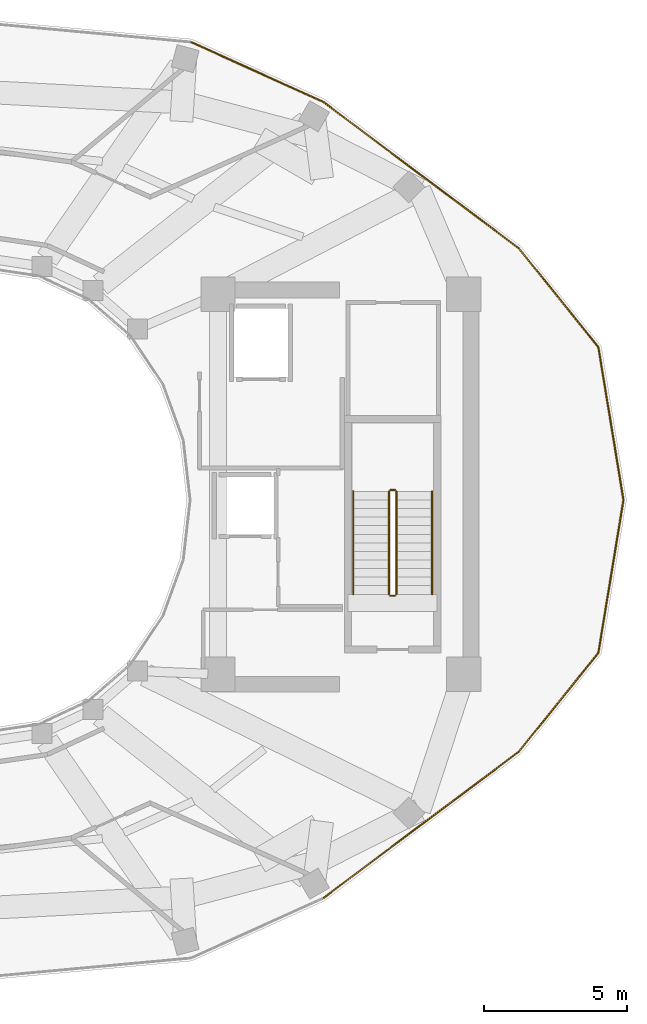
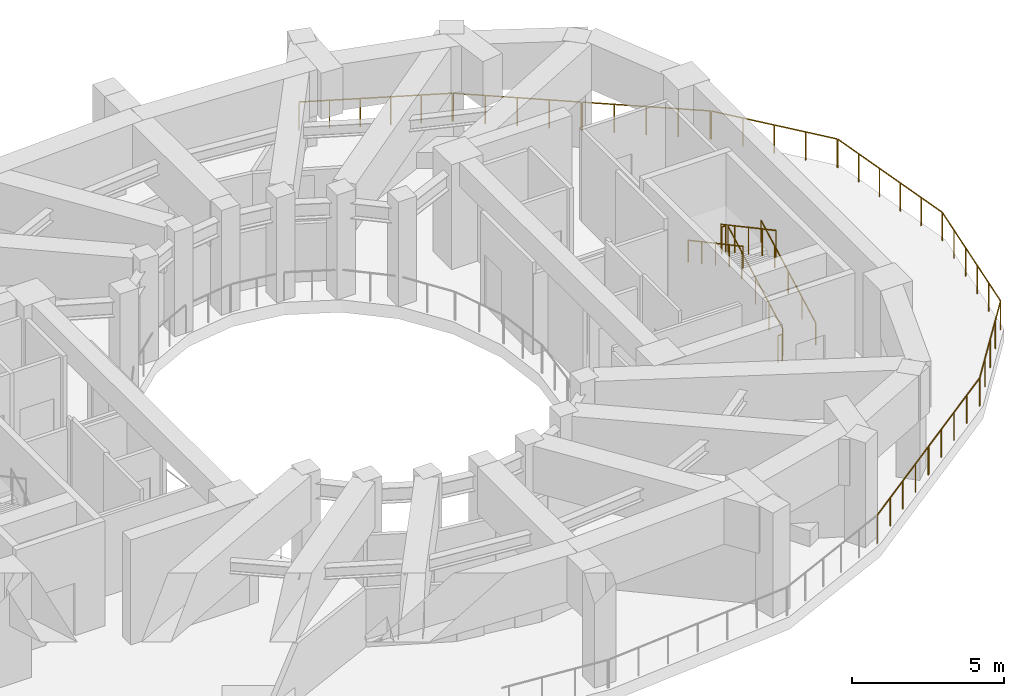
# One storey, part 8 of 9: 15 railings.
"""IFC4 building model written with IfcOpenShell, lengths in metres."""

from ifc_helpers import new_model, si_unit, direction, frame, origin, origin_2d, place, context, subcontext, project, spatial, circle, extrude, material, type_object, element, save


model = new_model("IFC4")

# Units and contexts
model_context = context("Model", 3, precision=1e-05, world=origin(), true_north=direction((0.0, 1.0)))
body_context = subcontext(model_context, "Body", "Model", "MODEL_VIEW")
ifc_project = project(units=[si_unit("LENGTHUNIT", "METRE"), si_unit("AREAUNIT", "SQUARE_METRE"), si_unit("VOLUMEUNIT", "CUBIC_METRE"), si_unit("PLANEANGLEUNIT", "RADIAN"), si_unit("MASSUNIT", "GRAM", prefix="KILO")], contexts=[model_context])

# Site, building, storey
site_placement = place(None, origin())
site = spatial("IfcSite", under=ifc_project, at=site_placement, CompositionType="ELEMENT")
building_placement = place(site_placement, origin())
building = spatial("IfcBuilding", under=site, at=building_placement, Name="Solvane Sanctuary Tower", CompositionType="ELEMENT")
storey_placement = place(building_placement, frame((0.0, 0.0, 197.39990234375)))
storey = spatial("IfcBuildingStorey", under=building, at=storey_placement, Name="L60", CompositionType="ELEMENT", Elevation=197.39990234375)

# Railings
ifc_material = material(Name="Architectural Stainless Steel 316", Category="steel")
railing_type_1 = type_object("IfcRailingType", Name="Railing GR-BALC-1150", PredefinedType="BALUSTRADE", material=ifc_material)
railing_1_placement = place(storey_placement, frame((54.284912109375, 23.019775390625, 0.0)))
element("IfcRailing", 1, at=railing_1_placement, inside=storey, type_object=railing_type_1, Name="L60 Open Void-Portal Perimeter Balustrade 00", PredefinedType="BALUSTRADE", context=body_context, shape_type="SweptSolid", body=[
    extrude(circle(Radius=0.02392578125, at=origin_2d()), frame((0.0, 0.0, 1.1259765625), z_axis=(-0.162058943267, 0.986781079524, 0.0), x_axis=(-0.986781079524, -0.162058943267, 0.0)), (0.0, 0.0, 1.0), 5.381103515625),
    extrude(circle(Radius=0.02099609375, at=origin_2d()), origin(), (0.0, 0.0, 1.0), 1.101806640625),
    extrude(circle(Radius=0.02099609375, at=origin_2d()), frame((-0.17431640625, 1.06201171875, 0.0)), (0.0, 0.0, 1.0), 1.101806640625),
    extrude(circle(Radius=0.02099609375, at=origin_2d()), frame((-0.348876953125, 2.1240234375, 0.0)), (0.0, 0.0, 1.0), 1.101806640625),
    extrude(circle(Radius=0.02099609375, at=origin_2d()), frame((-0.523193359375, 3.18603515625, 0.0)), (0.0, 0.0, 1.0), 1.101806640625),
    extrude(circle(Radius=0.02099609375, at=origin_2d()), frame((-0.69775390625, 4.248046875, 0.0)), (0.0, 0.0, 1.0), 1.101806640625),
    extrude(circle(Radius=0.02099609375, at=origin_2d()), frame((-0.8720703125, 5.31005859375, 0.0)), (0.0, 0.0, 1.0), 1.101806640625),
])
railing_2_placement = place(storey_placement, frame((53.397216796875, 28.365234375, 0.0)))
element("IfcRailing", 2, at=railing_2_placement, inside=storey, type_object=railing_type_1, Name="L60 Open Void-Portal Perimeter Balustrade 01", PredefinedType="BALUSTRADE", context=body_context, shape_type="SweptSolid", body=[
    extrude(circle(Radius=0.02392578125, at=origin_2d()), frame((0.0, 0.0, 1.1259765625), z_axis=(-0.627456229841, 0.778651834669, 0.0), x_axis=(-0.778651834669, -0.627456229841, 0.0)), (0.0, 0.0, 1.0), 4.414794921875),
    extrude(circle(Radius=0.02099609375, at=origin_2d()), origin(), (0.0, 0.0, 1.0), 1.101806640625),
    extrude(circle(Radius=0.02099609375, at=origin_2d()), frame((-0.6923828125, 0.859375, 0.0)), (0.0, 0.0, 1.0), 1.101806640625),
    extrude(circle(Radius=0.02099609375, at=origin_2d()), frame((-1.385009765625, 1.71875, 0.0)), (0.0, 0.0, 1.0), 1.101806640625),
    extrude(circle(Radius=0.02099609375, at=origin_2d()), frame((-2.07763671875, 2.578125, 0.0)), (0.0, 0.0, 1.0), 1.101806640625),
    extrude(circle(Radius=0.02099609375, at=origin_2d()), frame((-2.77001953125, 3.4375, 0.0)), (0.0, 0.0, 1.0), 1.101806640625),
])
railing_3_placement = place(storey_placement, frame((50.5986328125, 31.830322265625, 0.0)))
element("IfcRailing", 3, at=railing_3_placement, inside=storey, type_object=railing_type_1, Name="L60 Open Void-Portal Perimeter Balustrade 02", PredefinedType="BALUSTRADE", context=body_context, shape_type="SweptSolid", body=[
    extrude(circle(Radius=0.02392578125, at=origin_2d()), frame((0.0, 0.0, 1.1259765625), z_axis=(-0.800781696112, 0.598956321589, 0.0), x_axis=(-0.598956321589, -0.800781696112, 0.0)), (0.0, 0.0, 1.0), 4.2314453125),
    extrude(circle(Radius=0.02099609375, at=origin_2d()), origin(), (0.0, 0.0, 1.0), 1.101806640625),
    extrude(circle(Radius=0.02099609375, at=origin_2d()), frame((-0.84716796875, 0.633544921875, 0.0)), (0.0, 0.0, 1.0), 1.101806640625),
    extrude(circle(Radius=0.02099609375, at=origin_2d()), frame((-1.6943359375, 1.26708984375, 0.0)), (0.0, 0.0, 1.0), 1.101806640625),
    extrude(circle(Radius=0.02099609375, at=origin_2d()), frame((-2.541259765625, 1.90087890625, 0.0)), (0.0, 0.0, 1.0), 1.101806640625),
    extrude(circle(Radius=0.02099609375, at=origin_2d()), frame((-3.388427734375, 2.534423828125, 0.0)), (0.0, 0.0, 1.0), 1.101806640625),
])
railing_4_placement = place(storey_placement, frame((47.17822265625, 34.388671875, 0.0)))
element("IfcRailing", 4, at=railing_4_placement, inside=storey, type_object=railing_type_1, Name="L60 Open Void-Portal Perimeter Balustrade 03", PredefinedType="BALUSTRADE", context=body_context, shape_type="SweptSolid", body=[
    extrude(circle(Radius=0.02392578125, at=origin_2d()), frame((0.0, 0.0, 1.1259765625), z_axis=(-0.800193888641, 0.599741394754, 0.0), x_axis=(-0.599741394754, -0.800193888641, 0.0)), (0.0, 0.0, 1.0), 4.22998046875),
    extrude(circle(Radius=0.02099609375, at=origin_2d()), origin(), (0.0, 0.0, 1.0), 1.101806640625),
    extrude(circle(Radius=0.02099609375, at=origin_2d()), frame((-0.84619140625, 0.63427734375, 0.0)), (0.0, 0.0, 1.0), 1.101806640625),
    extrude(circle(Radius=0.02099609375, at=origin_2d()), frame((-1.6923828125, 1.2685546875, 0.0)), (0.0, 0.0, 1.0), 1.101806640625),
    extrude(circle(Radius=0.02099609375, at=origin_2d()), frame((-2.53857421875, 1.902587890625, 0.0)), (0.0, 0.0, 1.0), 1.101806640625),
    extrude(circle(Radius=0.02099609375, at=origin_2d()), frame((-3.384765625, 2.536865234375, 0.0)), (0.0, 0.0, 1.0), 1.101806640625),
])
railing_5_placement = place(storey_placement, frame((43.75927734375, 36.94580078125, 0.0)))
element("IfcRailing", 5, at=railing_5_placement, inside=storey, type_object=railing_type_1, Name="L60 Open Void-Portal Perimeter Balustrade 04", PredefinedType="BALUSTRADE", context=body_context, shape_type="SweptSolid", body=[
    extrude(circle(Radius=0.02392578125, at=origin_2d()), frame((0.0, 0.0, 1.1259765625), z_axis=(-0.911317289511, 0.411704745952, 0.0), x_axis=(-0.411704745952, -0.911317289511, 0.0)), (0.0, 0.0, 1.0), 5.04345703125),
    extrude(circle(Radius=0.02099609375, at=origin_2d()), origin(), (0.0, 0.0, 1.0), 1.101806640625),
    extrude(circle(Radius=0.02099609375, at=origin_2d()), frame((-0.919189453125, 0.415283203125, 0.0)), (0.0, 0.0, 1.0), 1.101806640625),
    extrude(circle(Radius=0.02099609375, at=origin_2d()), frame((-1.83837890625, 0.83056640625, 0.0)), (0.0, 0.0, 1.0), 1.101806640625),
    extrude(circle(Radius=0.02099609375, at=origin_2d()), frame((-2.7578125, 1.245849609375, 0.0)), (0.0, 0.0, 1.0), 1.101806640625),
    extrude(circle(Radius=0.02099609375, at=origin_2d()), frame((-3.677001953125, 1.6611328125, 0.0)), (0.0, 0.0, 1.0), 1.101806640625),
    extrude(circle(Radius=0.02099609375, at=origin_2d()), frame((-4.59619140625, 2.076416015625, 0.0)), (0.0, 0.0, 1.0), 1.101806640625),
])
railing_6_placement = place(storey_placement, frame((43.79345703125, 9.074462890625, 0.0)))
element("IfcRailing", 6, at=railing_6_placement, inside=storey, type_object=railing_type_1, Name="L60 Open Void-Portal Perimeter Balustrade 20", PredefinedType="BALUSTRADE", context=body_context, shape_type="SweptSolid", body=[
    extrude(circle(Radius=0.02392578125, at=origin_2d()), frame((0.0, 0.0, 1.1259765625), z_axis=(0.800193888641, 0.599741394754, 0.0), x_axis=(-0.599741394754, 0.800193888641, 0.0)), (0.0, 0.0, 1.0), 4.22998046875),
    extrude(circle(Radius=0.02099609375, at=origin_2d()), origin(), (0.0, 0.0, 1.0), 1.101806640625),
    extrude(circle(Radius=0.02099609375, at=origin_2d()), frame((0.84619140625, 0.63427734375, 0.0)), (0.0, 0.0, 1.0), 1.101806640625),
    extrude(circle(Radius=0.02099609375, at=origin_2d()), frame((1.6923828125, 1.2685546875, 0.0)), (0.0, 0.0, 1.0), 1.101806640625),
    extrude(circle(Radius=0.02099609375, at=origin_2d()), frame((2.53857421875, 1.902587890625, 0.0)), (0.0, 0.0, 1.0), 1.101806640625),
    extrude(circle(Radius=0.02099609375, at=origin_2d()), frame((3.384765625, 2.536865234375, 0.0)), (0.0, 0.0, 1.0), 1.101806640625),
])
railing_7_placement = place(storey_placement, frame((47.210205078125, 11.63525390625, 0.0)))
element("IfcRailing", 7, at=railing_7_placement, inside=storey, type_object=railing_type_1, Name="L60 Open Void-Portal Perimeter Balustrade 21", PredefinedType="BALUSTRADE", context=body_context, shape_type="SweptSolid", body=[
    extrude(circle(Radius=0.02392578125, at=origin_2d()), frame((0.0, 0.0, 1.1259765625), z_axis=(0.800781696112, 0.598956321589, 0.0), x_axis=(-0.598956321589, 0.800781696112, 0.0)), (0.0, 0.0, 1.0), 4.2314453125),
    extrude(circle(Radius=0.02099609375, at=origin_2d()), origin(), (0.0, 0.0, 1.0), 1.101806640625),
    extrude(circle(Radius=0.02099609375, at=origin_2d()), frame((0.84716796875, 0.633544921875, 0.0)), (0.0, 0.0, 1.0), 1.101806640625),
    extrude(circle(Radius=0.02099609375, at=origin_2d()), frame((1.6943359375, 1.26708984375, 0.0)), (0.0, 0.0, 1.0), 1.101806640625),
    extrude(circle(Radius=0.02099609375, at=origin_2d()), frame((2.541259765625, 1.90087890625, 0.0)), (0.0, 0.0, 1.0), 1.101806640625),
    extrude(circle(Radius=0.02099609375, at=origin_2d()), frame((3.388427734375, 2.534423828125, 0.0)), (0.0, 0.0, 1.0), 1.101806640625),
])
railing_8_placement = place(storey_placement, frame((50.627197265625, 14.197265625, 0.0)))
element("IfcRailing", 8, at=railing_8_placement, inside=storey, type_object=railing_type_1, Name="L60 Open Void-Portal Perimeter Balustrade 22", PredefinedType="BALUSTRADE", context=body_context, shape_type="SweptSolid", body=[
    extrude(circle(Radius=0.02392578125, at=origin_2d()), frame((0.0, 0.0, 1.1259765625), z_axis=(0.627456229841, 0.778651834669, 0.0), x_axis=(-0.778651834669, 0.627456229841, 0.0)), (0.0, 0.0, 1.0), 4.414794921875),
    extrude(circle(Radius=0.02099609375, at=origin_2d()), origin(), (0.0, 0.0, 1.0), 1.101806640625),
    extrude(circle(Radius=0.02099609375, at=origin_2d()), frame((0.6923828125, 0.859375, 0.0)), (0.0, 0.0, 1.0), 1.101806640625),
    extrude(circle(Radius=0.02099609375, at=origin_2d()), frame((1.385009765625, 1.71875, 0.0)), (0.0, 0.0, 1.0), 1.101806640625),
    extrude(circle(Radius=0.02099609375, at=origin_2d()), frame((2.07763671875, 2.578125, 0.0)), (0.0, 0.0, 1.0), 1.101806640625),
    extrude(circle(Radius=0.02099609375, at=origin_2d()), frame((2.77001953125, 3.4375, 0.0)), (0.0, 0.0, 1.0), 1.101806640625),
])
railing_9_placement = place(storey_placement, frame((53.412841796875, 17.670166015625, 0.0)))
element("IfcRailing", 9, at=railing_9_placement, inside=storey, type_object=railing_type_1, Name="L60 Open Void-Portal Perimeter Balustrade 23", PredefinedType="BALUSTRADE", context=body_context, shape_type="SweptSolid", body=[
    extrude(circle(Radius=0.02392578125, at=origin_2d()), frame((0.0, 0.0, 1.1259765625), z_axis=(0.162058943267, 0.986781079524, 0.0), x_axis=(-0.986781079524, 0.162058943267, 0.0)), (0.0, 0.0, 1.0), 5.381103515625),
    extrude(circle(Radius=0.02099609375, at=origin_2d()), origin(), (0.0, 0.0, 1.0), 1.101806640625),
    extrude(circle(Radius=0.02099609375, at=origin_2d()), frame((0.17431640625, 1.06201171875, 0.0)), (0.0, 0.0, 1.0), 1.101806640625),
    extrude(circle(Radius=0.02099609375, at=origin_2d()), frame((0.348876953125, 2.1240234375, 0.0)), (0.0, 0.0, 1.0), 1.101806640625),
    extrude(circle(Radius=0.02099609375, at=origin_2d()), frame((0.523193359375, 3.18603515625, 0.0)), (0.0, 0.0, 1.0), 1.101806640625),
    extrude(circle(Radius=0.02099609375, at=origin_2d()), frame((0.69775390625, 4.248046875, 0.0)), (0.0, 0.0, 1.0), 1.101806640625),
    extrude(circle(Radius=0.02099609375, at=origin_2d()), frame((0.8720703125, 5.31005859375, 0.0)), (0.0, 0.0, 1.0), 1.101806640625),
])
railing_10_placement = place(storey_placement, frame((46.340087890625, 19.699951171875, 0.16162109375)))
element("IfcRailing", 10, at=railing_10_placement, inside=storey, type_object=railing_type_1, Name="L60 ST-2 stair guard 1", PredefinedType="BALUSTRADE", context=body_context, shape_type="SweptSolid", body=[
    extrude(circle(Radius=0.02392578125, at=origin_2d()), frame((0.0, 0.0, 1.076171875), z_axis=(0.0, 0.880474934443, 0.474092701714), x_axis=(-1.0, 0.0, 0.0)), (0.0, 0.0, 1.0), 4.0888671875),
    extrude(circle(Radius=0.02099609375, at=origin_2d()), origin(), (0.0, 0.0, 1.0), 1.052001953125),
    extrude(circle(Radius=0.02099609375, at=origin_2d()), frame((0.0, 0.89990234375, 0.484619140625)), (0.0, 0.0, 1.0), 1.052001953125),
    extrude(circle(Radius=0.02099609375, at=origin_2d()), frame((0.0, 1.800048828125, 0.96923828125)), (0.0, 0.0, 1.0), 1.052001953125),
    extrude(circle(Radius=0.02099609375, at=origin_2d()), frame((0.0, 2.7001953125, 1.453857421875)), (0.0, 0.0, 1.0), 1.052001953125),
    extrude(circle(Radius=0.02099609375, at=origin_2d()), frame((0.0, 3.60009765625, 1.9384765625)), (0.0, 0.0, 1.0), 1.052001953125),
])
railing_11_placement = place(storey_placement, frame((46.2900390625, 23.35009765625, 2.10009765625)))
element("IfcRailing", 11, at=railing_11_placement, inside=storey, type_object=railing_type_1, Name="L60 ST-2 stair guard 2", PredefinedType="BALUSTRADE", context=body_context, shape_type="SweptSolid", body=[
    extrude(circle(Radius=0.02392578125, at=origin_2d()), frame((0.0, 0.0, 1.076171875), z_axis=(-1.0, 0.0, 0.0), x_axis=(0.0, -1.0, 0.0)), (0.0, 0.0, 1.0), 0.16015625),
    extrude(circle(Radius=0.02099609375, at=origin_2d()), origin(), (0.0, 0.0, 1.0), 1.052001953125),
    extrude(circle(Radius=0.02099609375, at=origin_2d()), frame((-0.16015625, 0.0, 0.0)), (0.0, 0.0, 1.0), 1.052001953125),
])
railing_12_placement = place(storey_placement, frame((46.080078125, 23.300048828125, 2.26171875)))
element("IfcRailing", 12, at=railing_12_placement, inside=storey, type_object=railing_type_1, Name="L60 ST-2 stair guard 3", PredefinedType="BALUSTRADE", context=body_context, shape_type="SweptSolid", body=[
    extrude(circle(Radius=0.02392578125, at=origin_2d()), frame((0.0, 0.0, 1.076171875), z_axis=(0.0, -0.880474934443, 0.474092701714), x_axis=(1.0, 0.0, 0.0)), (0.0, 0.0, 1.0), 4.0888671875),
    extrude(circle(Radius=0.02099609375, at=origin_2d()), origin(), (0.0, 0.0, 1.0), 1.052001953125),
    extrude(circle(Radius=0.02099609375, at=origin_2d()), frame((0.0, -0.89990234375, 0.484619140625)), (0.0, 0.0, 1.0), 1.052001953125),
    extrude(circle(Radius=0.02099609375, at=origin_2d()), frame((0.0, -1.800048828125, 0.96923828125)), (0.0, 0.0, 1.0), 1.052001953125),
    extrude(circle(Radius=0.02099609375, at=origin_2d()), frame((0.0, -2.7001953125, 1.453857421875)), (0.0, 0.0, 1.0), 1.052001953125),
    extrude(circle(Radius=0.02099609375, at=origin_2d()), frame((0.0, -3.60009765625, 1.9384765625)), (0.0, 0.0, 1.0), 1.052001953125),
])
railing_13_placement = place(storey_placement, frame((46.2900390625, 19.64990234375, 0.0)))
element("IfcRailing", 13, at=railing_13_placement, inside=storey, type_object=railing_type_1, Name="L60 ST-2 stair guard 4", PredefinedType="BALUSTRADE", context=body_context, shape_type="SweptSolid", body=[
    extrude(circle(Radius=0.02392578125, at=origin_2d()), frame((0.0, 0.0, 1.076171875), z_axis=(-1.0, 0.0, 0.0), x_axis=(0.0, -1.0, 0.0)), (0.0, 0.0, 1.0), 0.16015625),
    extrude(circle(Radius=0.02099609375, at=origin_2d()), origin(), (0.0, 0.0, 1.0), 1.052001953125),
    extrude(circle(Radius=0.02099609375, at=origin_2d()), frame((-0.16015625, 0.0, 0.0)), (0.0, 0.0, 1.0), 1.052001953125),
])
railing_type_2 = type_object("IfcRailingType", Name="Railing HR-STAIR-920", PredefinedType="HANDRAIL", material=ifc_material)
railing_14_placement = place(storey_placement, frame((47.590087890625, 19.699951171875, 0.16162109375)))
element("IfcRailing", 14, at=railing_14_placement, inside=storey, type_object=railing_type_2, Name="L60 ST-2 stair handrail 1", PredefinedType="HANDRAIL", context=body_context, shape_type="SweptSolid", body=[
    extrude(circle(Radius=0.02392578125, at=origin_2d()), frame((0.0, 0.0, 0.8759765625), z_axis=(0.0, 0.880474934443, 0.474092701714), x_axis=(-1.0, 0.0, 0.0)), (0.0, 0.0, 1.0), 4.0888671875),
    extrude(circle(Radius=0.02099609375, at=origin_2d()), origin(), (0.0, 0.0, 1.0), 0.851806640625),
    extrude(circle(Radius=0.02099609375, at=origin_2d()), frame((0.0, 0.89990234375, 0.484619140625)), (0.0, 0.0, 1.0), 0.851806640625),
    extrude(circle(Radius=0.02099609375, at=origin_2d()), frame((0.0, 1.800048828125, 0.96923828125)), (0.0, 0.0, 1.0), 0.851806640625),
    extrude(circle(Radius=0.02099609375, at=origin_2d()), frame((0.0, 2.7001953125, 1.453857421875)), (0.0, 0.0, 1.0), 0.851806640625),
    extrude(circle(Radius=0.02099609375, at=origin_2d()), frame((0.0, 3.60009765625, 1.9384765625)), (0.0, 0.0, 1.0), 0.851806640625),
])
railing_15_placement = place(storey_placement, frame((44.830078125, 23.300048828125, 2.26171875)))
element("IfcRailing", 15, at=railing_15_placement, inside=storey, type_object=railing_type_2, Name="L60 ST-2 stair handrail 2", PredefinedType="HANDRAIL", context=body_context, shape_type="SweptSolid", body=[
    extrude(circle(Radius=0.02392578125, at=origin_2d()), frame((0.0, 0.0, 0.8759765625), z_axis=(0.0, -0.880474934443, 0.474092701714), x_axis=(1.0, 0.0, 0.0)), (0.0, 0.0, 1.0), 4.0888671875),
    extrude(circle(Radius=0.02099609375, at=origin_2d()), origin(), (0.0, 0.0, 1.0), 0.851806640625),
    extrude(circle(Radius=0.02099609375, at=origin_2d()), frame((0.0, -0.89990234375, 0.484619140625)), (0.0, 0.0, 1.0), 0.851806640625),
    extrude(circle(Radius=0.02099609375, at=origin_2d()), frame((0.0, -1.800048828125, 0.96923828125)), (0.0, 0.0, 1.0), 0.851806640625),
    extrude(circle(Radius=0.02099609375, at=origin_2d()), frame((0.0, -2.7001953125, 1.453857421875)), (0.0, 0.0, 1.0), 0.851806640625),
    extrude(circle(Radius=0.02099609375, at=origin_2d()), frame((0.0, -3.60009765625, 1.9384765625)), (0.0, 0.0, 1.0), 0.851806640625),
])

save(model, "model.ifc")
